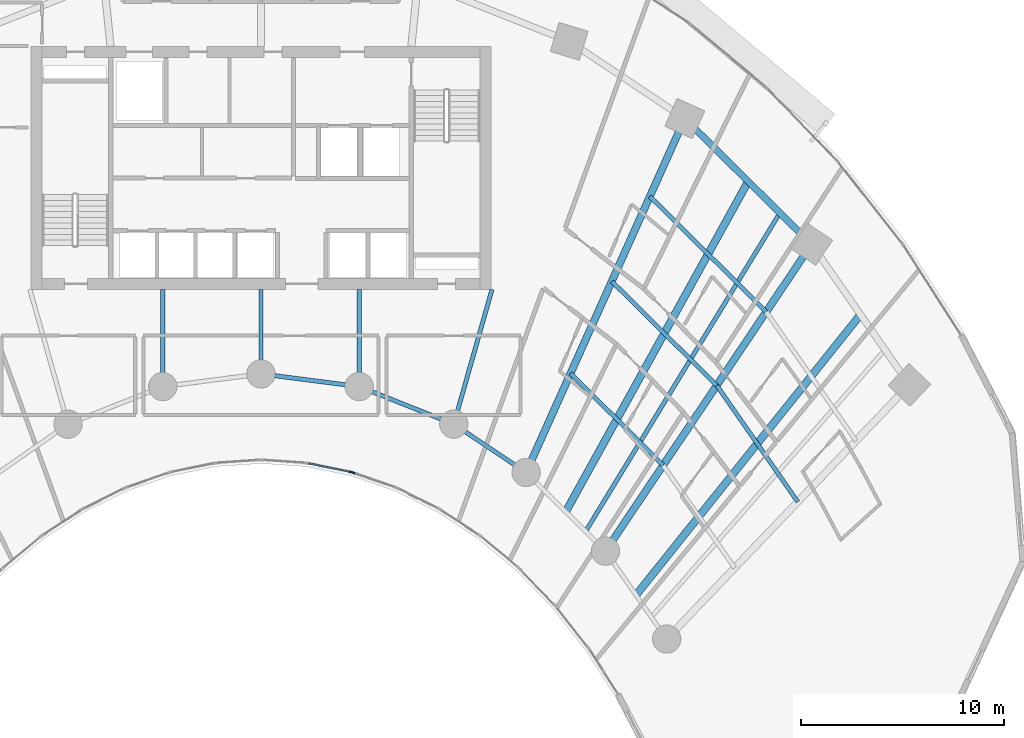
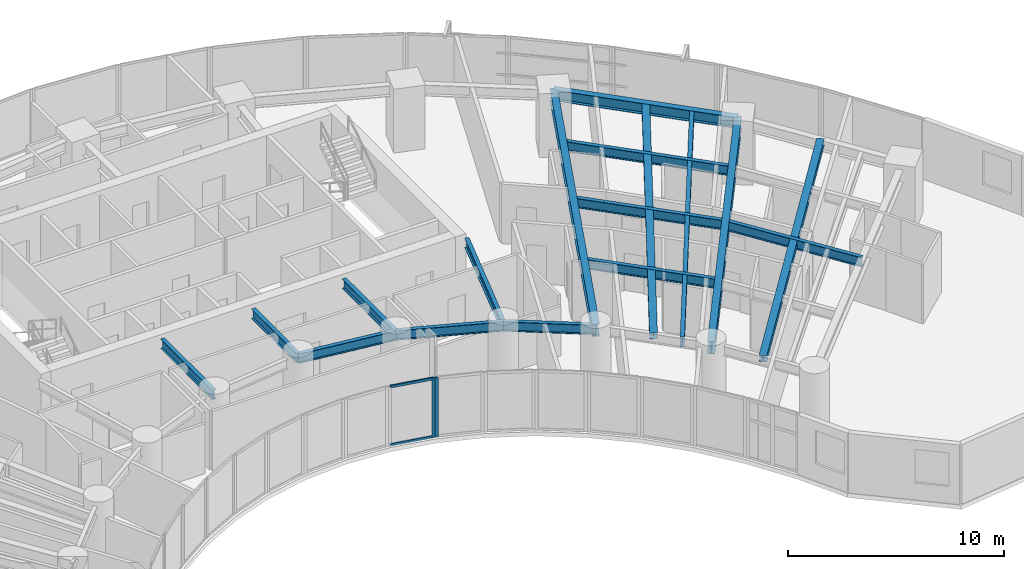
# One storey, part 5 of 18: 17 beams, 4 members, 2 elements without a shape of their own.
"""IFC4 building model written with IfcOpenShell, lengths in metres."""

from ifc_helpers import new_model, si_unit, direction, frame, origin, origin_2d, place, context, subcontext, project, spatial, rectangle, i_section, extrude, source, transform, mapped, material, layer, layer_set, material_profile, profile_set, type_object, type_shapes, element, aggregate, save


model = new_model("IFC4")

# Units and contexts
model_context = context("Model", 3, precision=1e-05, world=origin(), true_north=direction((0.0, 1.0)))
body_context = subcontext(model_context, "Body", "Model", "MODEL_VIEW")
ifc_project = project(units=[si_unit("LENGTHUNIT", "METRE"), si_unit("AREAUNIT", "SQUARE_METRE"), si_unit("VOLUMEUNIT", "CUBIC_METRE"), si_unit("PLANEANGLEUNIT", "RADIAN"), si_unit("MASSUNIT", "GRAM", prefix="KILO")], contexts=[model_context])

# Site, building, storey
site_placement = place(None, origin())
site = spatial("IfcSite", under=ifc_project, at=site_placement, CompositionType="ELEMENT")
building_placement = place(site_placement, origin())
building = spatial("IfcBuilding", under=site, at=building_placement, Name="Breltana Convention Tower", CompositionType="ELEMENT")
storey_placement = place(building_placement, frame((0.0, 0.0, 42.60009765625)))
storey = spatial("IfcBuildingStorey", under=building, at=storey_placement, Name="L08", CompositionType="ELEMENT", Elevation=42.60009765625)

# Beams
ifc_material_1 = material(Name="Steel ASTM A992 Grade 50", Category="steel")
ifc_material_profile_1 = material_profile(ifc_material_1, i_section(OverallWidth=0.323974609375, OverallDepth=0.611083984375, WebThickness=0.0126953125, FlangeThickness=0.01904296875, at=origin_2d()), Name="W24X104")
ifc_profile_set_1 = profile_set([ifc_material_profile_1], Name="Steel ASTM A992 Grade 50")
beam_type_1 = type_object("IfcBeamType", Name="BM-SP-W24X104", PredefinedType="SPANDREL", material=ifc_profile_set_1)
shared_shape_1 = source(origin(), body_context, "Body", "SweptSolid", [
    extrude(i_section(OverallWidth=0.323974609375, OverallDepth=0.611083984375, WebThickness=0.0126953125, FlangeThickness=0.01904296875, at=origin_2d()), origin(), (0.0, 0.0, 1.0), 8.810302734375),
])
beam_1_placement = place(storey_placement, frame((68.910400390625, 68.63330078125, 3.054443359375), z_axis=(0.710120823582, -0.704079836322, 0.0), x_axis=(0.704079836322, 0.710120823582, 0.0)))
element("IfcBeam", 1, at=beam_1_placement, inside=storey, type_object=beam_type_1, Name="L08 Outer Spandrel Beam 09", PredefinedType="SPANDREL", context=body_context, shape_type="MappedRepresentation", body=[
    mapped(shared_shape_1, transform((0.0, 0.0, 0.0), scale=1.0)),
])
ifc_material_profile_2 = material_profile(ifc_material_1, i_section(OverallWidth=0.2099609375, OverallDepth=0.537109375, WebThickness=0.010986328125, FlangeThickness=0.017333984375, at=origin_2d()), Name="W21X68")
ifc_profile_set_2 = profile_set([ifc_material_profile_2], Name="Steel ASTM A992 Grade 50")
beam_type_2 = type_object("IfcBeamType", Name="BM-BM-W21X68", PredefinedType="BEAM", material=ifc_profile_set_2)
shared_shape_2 = source(origin(), body_context, "Body", "SweptSolid", [
    extrude(i_section(OverallWidth=0.2099609375, OverallDepth=0.537109375, WebThickness=0.010986328125, FlangeThickness=0.017333984375, at=origin_2d()), origin(), (0.0, 0.0, 1.0), 6.904541015625),
])
type_shapes(beam_type_2, [shared_shape_2])
beam_2_placement = place(storey_placement, frame((59.39990234375, 60.199951171875, 3.09130859375), z_axis=(-0.273006781054, -0.962012108811, 0.0), x_axis=(0.962012108811, -0.273006781054, 0.0)))
element("IfcBeam", 2, at=beam_2_placement, inside=storey, type_object=beam_type_2, Name="L08 South Core Tie Girder R08", PredefinedType="BEAM", context=body_context, shape_type="MappedRepresentation", body=[
    mapped(shared_shape_2, transform((0.0, 0.0, 0.0), scale=1.0)),
])
shared_shape_3 = source(origin(), body_context, "Body", "SweptSolid", [
    extrude(i_section(OverallWidth=0.2099609375, OverallDepth=0.537109375, WebThickness=0.010986328125, FlangeThickness=0.017333984375, at=origin_2d()), origin(), (0.0, 0.0, 1.0), 4.789306640625),
])
for number, where, z_axis, x_axis, name in (
    (3, (43.153564453125, 60.199951171875, 3.09130859375), (0.0, -1.0, 0.0), (1.0, 0.0, 0.0), "L08 South Core Tie Girder R05"),
    (4, (52.846435546875, 60.199951171875, 3.09130859375), (0.0, -1.0, 0.0), (1.0, 0.0, 0.0), "L08 South Core Tie Girder R07"),
):
    element("IfcBeam", number, at=place(storey_placement, frame(where, z_axis=z_axis, x_axis=x_axis)), inside=storey, type_object=beam_type_2, Name=name, PredefinedType="BEAM", context=body_context, shape_type="MappedRepresentation", body=[
        mapped(shared_shape_3, transform((0.0, 0.0, 0.0), scale=1.0)),
    ])
shared_shape_4 = source(origin(), body_context, "Body", "SweptSolid", [
    extrude(i_section(OverallWidth=0.2099609375, OverallDepth=0.537109375, WebThickness=0.010986328125, FlangeThickness=0.017333984375, at=origin_2d()), origin(), (0.0, 0.0, 1.0), 4.1640625),
])
beam_3_placement = place(storey_placement, frame((48.0, 60.199951171875, 3.09130859375), z_axis=(0.0, -1.0, 0.0), x_axis=(1.0, 0.0, 0.0)))
element("IfcBeam", 5, at=beam_3_placement, inside=storey, type_object=beam_type_2, Name="L08 South Core Tie Girder R06", PredefinedType="BEAM", context=body_context, shape_type="MappedRepresentation", body=[
    mapped(shared_shape_4, transform((0.0, 0.0, 0.0), scale=1.0)),
])
ifc_material_profile_3 = material_profile(ifc_material_1, i_section(OverallWidth=0.35498046875, OverallDepth=0.696044921875, WebThickness=0.015380859375, FlangeThickness=0.02490234375, at=origin_2d()), Name="W27X146")
ifc_profile_set_3 = profile_set([ifc_material_profile_3], Name="Steel ASTM A992 Grade 50")
beam_type_3 = type_object("IfcBeamType", Name="BM-RG-W27X146", PredefinedType="USERDEFINED", material=ifc_profile_set_3)
shared_shape_5 = source(origin(), body_context, "Body", "SweptSolid", [
    extrude(i_section(OverallWidth=0.35498046875, OverallDepth=0.696044921875, WebThickness=0.015380859375, FlangeThickness=0.02490234375, at=origin_2d()), origin(), (0.0, 0.0, 1.0), 19.133544921875),
])
beam_4_placement = place(storey_placement, frame((61.08203125, 51.174560546875, 3.011962890625), z_axis=(0.409144564164, 0.912469575172, 0.0), x_axis=(-0.912469575172, 0.409144564164, 0.0)))
element("IfcBeam", 6, at=beam_4_placement, inside=storey, type_object=beam_type_3, Name="L08 Radial Floor Girder R09", ObjectType="GIRDER", PredefinedType="USERDEFINED", context=body_context, shape_type="MappedRepresentation", body=[
    mapped(shared_shape_5, transform((0.0, 0.0, 0.0), scale=1.0)),
])
shared_shape_6 = source(origin(), body_context, "Body", "SweptSolid", [
    extrude(i_section(OverallWidth=0.35498046875, OverallDepth=0.696044921875, WebThickness=0.015380859375, FlangeThickness=0.02490234375, at=origin_2d()), origin(), (0.0, 0.0, 1.0), 18.236328125),
])
beam_5_placement = place(storey_placement, frame((64.995849609375, 47.293701171875, 3.011962890625), z_axis=(0.557730360975, 0.830022195153, 0.0), x_axis=(-0.830022195153, 0.557730360975, 0.0)))
element("IfcBeam", 7, at=beam_5_placement, inside=storey, type_object=beam_type_3, Name="L08 Radial Floor Girder R10", ObjectType="GIRDER", PredefinedType="USERDEFINED", context=body_context, shape_type="MappedRepresentation", body=[
    mapped(shared_shape_6, transform((0.0, 0.0, 0.0), scale=1.0)),
])
shared_shape_7 = source(origin(), body_context, "Body", "SweptSolid", [
    extrude(i_section(OverallWidth=0.2099609375, OverallDepth=0.537109375, WebThickness=0.010986328125, FlangeThickness=0.017333984375, at=origin_2d()), origin(), (0.0, 0.0, 1.0), 5.022705078125),
])
beam_6_placement = place(storey_placement, frame((52.846435546875, 55.41064453125, 3.09130859375), z_axis=(0.929458966248, -0.368925507469, 0.0), x_axis=(0.368925507469, 0.929458966248, 0.0)))
element("IfcBeam", 8, at=beam_6_placement, inside=storey, type_object=beam_type_2, Name="L08 Inner Ring Beam 07", PredefinedType="BEAM", context=body_context, shape_type="MappedRepresentation", body=[
    mapped(shared_shape_7, transform((0.0, 0.0, 0.0), scale=1.0)),
])
shared_shape_8 = source(origin(), body_context, "Body", "SweptSolid", [
    extrude(i_section(OverallWidth=0.2099609375, OverallDepth=0.537109375, WebThickness=0.010986328125, FlangeThickness=0.017333984375, at=origin_2d()), origin(), (0.0, 0.0, 1.0), 4.88671875),
])
beam_7_placement = place(storey_placement, frame((48.0, 56.035888671875, 3.09130859375), z_axis=(0.991780525565, -0.127950729231, 0.0), x_axis=(0.127950729231, 0.991780525565, 0.0)))
element("IfcBeam", 9, at=beam_7_placement, inside=storey, type_object=beam_type_2, Name="L08 Inner Ring Beam 06", PredefinedType="BEAM", context=body_context, shape_type="MappedRepresentation", body=[
    mapped(shared_shape_8, transform((0.0, 0.0, 0.0), scale=1.0)),
])
shared_shape_9 = source(origin(), body_context, "Body", "SweptSolid", [
    extrude(i_section(OverallWidth=0.2099609375, OverallDepth=0.537109375, WebThickness=0.010986328125, FlangeThickness=0.017333984375, at=origin_2d()), origin(), (0.0, 0.0, 1.0), 4.2900390625),
])
beam_8_placement = place(storey_placement, frame((57.514892578125, 53.5576171875, 3.09130859375), z_axis=(0.831515827753, -0.555501060482, 0.0), x_axis=(0.555501060482, 0.831515827753, 0.0)))
element("IfcBeam", 10, at=beam_8_placement, inside=storey, type_object=beam_type_2, Name="L08 Inner Ring Beam 08", PredefinedType="BEAM", context=body_context, shape_type="MappedRepresentation", body=[
    mapped(shared_shape_9, transform((0.0, 0.0, 0.0), scale=1.0)),
])
ifc_material_profile_4 = material_profile(ifc_material_1, i_section(OverallWidth=0.2099609375, OverallDepth=0.537109375, WebThickness=0.010986328125, FlangeThickness=0.017333984375, at=origin_2d()), Name="W21X68")
ifc_profile_set_4 = profile_set([ifc_material_profile_4], Name="Steel ASTM A992 Grade 50")
beam_type_4 = type_object("IfcBeamType", Name="BM-JSG-04", PredefinedType="JOIST", material=ifc_profile_set_4)
shared_shape_10 = source(origin(), body_context, "Body", "SweptSolid", [
    extrude(i_section(OverallWidth=0.2099609375, OverallDepth=0.537109375, WebThickness=0.010986328125, FlangeThickness=0.017333984375, at=origin_2d()), origin(), (0.0, 0.0, 1.0), 6.435302734375),
])
beam_9_placement = place(storey_placement, frame((63.27392578125, 56.06298828125, 3.09130859375), z_axis=(0.710116389828, -0.704084308089, 0.0), x_axis=(0.704084308089, 0.710116389828, 0.0)))
element("IfcBeam", 11, at=beam_9_placement, inside=storey, type_object=beam_type_4, Name="L08 Composite Floor Joist 09.1", PredefinedType="JOIST", context=body_context, shape_type="MappedRepresentation", body=[
    mapped(shared_shape_10, transform((0.0, 0.0, 0.0), scale=1.0)),
])
shared_shape_11 = source(origin(), body_context, "Body", "SweptSolid", [
    extrude(i_section(OverallWidth=0.2099609375, OverallDepth=0.537109375, WebThickness=0.010986328125, FlangeThickness=0.017333984375, at=origin_2d()), origin(), (0.0, 0.0, 1.0), 7.29296875),
])
beam_10_placement = place(storey_placement, frame((65.309326171875, 60.602294921875, 3.09130859375), z_axis=(0.710096551013, -0.704104316305, 0.0), x_axis=(0.704104316305, 0.710096551013, 0.0)))
element("IfcBeam", 12, at=beam_10_placement, inside=storey, type_object=beam_type_4, Name="L08 Composite Floor Joist 09.2", PredefinedType="JOIST", context=body_context, shape_type="MappedRepresentation", body=[
    mapped(shared_shape_11, transform((0.0, 0.0, 0.0), scale=1.0)),
])
shared_shape_12 = source(origin(), body_context, "Body", "SweptSolid", [
    extrude(i_section(OverallWidth=0.2099609375, OverallDepth=0.537109375, WebThickness=0.010986328125, FlangeThickness=0.017333984375, at=origin_2d()), origin(), (0.0, 0.0, 1.0), 8.084716796875),
])
beam_11_placement = place(storey_placement, frame((67.188232421875, 64.79248046875, 3.09130859375), z_axis=(0.710105094548, -0.704095699956, 0.0), x_axis=(0.704095699956, 0.710105094548, 0.0)))
element("IfcBeam", 13, at=beam_11_placement, inside=storey, type_object=beam_type_4, Name="L08 Composite Floor Joist 09.3", PredefinedType="JOIST", context=body_context, shape_type="MappedRepresentation", body=[
    mapped(shared_shape_12, transform((0.0, 0.0, 0.0), scale=1.0)),
])
ifc_material_profile_5 = material_profile(ifc_material_1, i_section(OverallWidth=0.368896484375, OverallDepth=0.35595703125, WebThickness=0.01123046875, FlangeThickness=0.01806640625, at=origin_2d()), Name="W14X90")
ifc_profile_set_5 = profile_set([ifc_material_profile_5], Name="Steel ASTM A992 Grade 50")
beam_type_5 = type_object("IfcBeamType", Name="BM-JSG-09", PredefinedType="JOIST", material=ifc_profile_set_5)
shared_shape_13 = source(origin(), body_context, "Body", "SweptSolid", [
    extrude(i_section(OverallWidth=0.368896484375, OverallDepth=0.35595703125, WebThickness=0.01123046875, FlangeThickness=0.01806640625, at=origin_2d()), origin(), (0.0, 0.0, 1.0), 18.617431640625),
])
beam_12_placement = place(storey_placement, frame((63.038818359375, 49.234130859375, 3.181884765625), z_axis=(0.483405602507, 0.875396495004, 0.0), x_axis=(-0.875396495004, 0.483405602507, 0.0)))
element("IfcBeam", 14, at=beam_12_placement, inside=storey, type_object=beam_type_5, Name="L08 Mid-Bay Radial Trimmer 09", PredefinedType="JOIST", context=body_context, shape_type="MappedRepresentation", body=[
    mapped(shared_shape_13, transform((0.0, 0.0, 0.0), scale=1.0)),
])
shared_shape_14 = source(origin(), body_context, "Body", "SweptSolid", [
    extrude(i_section(OverallWidth=0.2099609375, OverallDepth=0.537109375, WebThickness=0.010986328125, FlangeThickness=0.017333984375, at=origin_2d()), origin(), (0.0, 0.0, 1.0), 18.409423828125),
])
beam_13_placement = place(storey_placement, frame((64.017333984375, 48.263916015625, 3.09130859375), z_axis=(0.520682167606, 0.853750596098, 0.0), x_axis=(-0.853750596098, 0.520682167606, 0.0)))
element("IfcBeam", 15, at=beam_13_placement, inside=storey, type_object=beam_type_4, Name="L08 Quarter-Bay Radial Trimmer 09", PredefinedType="JOIST", context=body_context, shape_type="MappedRepresentation", body=[
    mapped(shared_shape_14, transform((0.0, 0.0, 0.0), scale=1.0)),
])
shared_shape_15 = source(origin(), body_context, "Body", "SweptSolid", [
    extrude(i_section(OverallWidth=0.2099609375, OverallDepth=0.537109375, WebThickness=0.010986328125, FlangeThickness=0.017333984375, at=origin_2d()), origin(), (0.0, 0.0, 1.0), 6.99462890625),
])
beam_14_placement = place(storey_placement, frame((70.488037109375, 55.46728515625, 3.09130859375), z_axis=(0.571206630732, -0.820806301759, 0.0), x_axis=(0.820806301759, 0.571206630732, 0.0)))
element("IfcBeam", 16, at=beam_14_placement, inside=storey, type_object=beam_type_4, Name="L08 Composite Floor Joist 10.2", PredefinedType="JOIST", context=body_context, shape_type="MappedRepresentation", body=[
    mapped(shared_shape_15, transform((0.0, 0.0, 0.0), scale=1.0)),
])
shared_shape_16 = source(origin(), body_context, "Body", "SweptSolid", [
    extrude(i_section(OverallWidth=0.368896484375, OverallDepth=0.35595703125, WebThickness=0.01123046875, FlangeThickness=0.01806640625, at=origin_2d()), origin(), (0.0, 0.0, 1.0), 17.7236328125),
])
beam_15_placement = place(storey_placement, frame((66.505615234375, 45.124267578125, 3.181884765625), z_axis=(0.624829427563, 0.78076128647, 0.0), x_axis=(-0.78076128647, 0.624829427563, 0.0)))
element("IfcBeam", 17, at=beam_15_placement, inside=storey, type_object=beam_type_5, Name="L08 Mid-Bay Radial Trimmer 10", PredefinedType="JOIST", context=body_context, shape_type="MappedRepresentation", body=[
    mapped(shared_shape_16, transform((0.0, 0.0, 0.0), scale=1.0)),
])

# Curtain wall, members
ifc_material_2 = material(Name="Aluminium Anodised Bronze Frame", Category="aluminium")
ifc_layer = layer(ifc_material_2, 0.18994140625, Name="Aluminium Anodised Bronze Frame")
ifc_layer_set = layer_set([ifc_layer], Name="Aluminium Anodised Bronze Frame")
curtain_wall_type = type_object("IfcCurtainWallType", Name="CW-SYS-1", PredefinedType="NOTDEFINED", material=ifc_layer_set)
curtain_wall_1_placement = place(storey_placement, origin())
curtain_wall_1 = element("IfcCurtainWall", 18, at=curtain_wall_1_placement, inside=storey, type_object=curtain_wall_type, Name="L08 inner south-court glazing 8", PredefinedType="NOTDEFINED")
ifc_material_3 = material(Name="Aluminium Anodised Bronze", Category="aluminium")
ifc_material_profile_6 = material_profile(ifc_material_3, rectangle(XDim=0.080078125, YDim=0.139892578125, at=origin_2d()), Name="CWT-80X140")
ifc_profile_set_6 = profile_set([ifc_material_profile_6], Name="Aluminium Anodised Bronze")
member_type_1 = type_object("IfcMemberType", Name="CWT-140", PredefinedType="USERDEFINED", material=ifc_profile_set_6)
shared_shape_17 = source(origin(), body_context, "Body", "SweptSolid", [
    extrude(rectangle(XDim=0.080078125, YDim=0.139892578125, at=origin_2d()), origin(), (0.0, 0.0, 1.0), 2.096435546875),
])
member_1_placement = place(storey_placement, frame((52.401611328125, 51.201416015625, 0.039794921875), z_axis=(-0.979615042233, 0.200883969074, 0.0), x_axis=(-0.200883969074, -0.979615042233, 0.0)))
member_1 = element("IfcMember", 19, at=member_1_placement, type_object=member_type_1, Name="CW-01 transom 1.1", ObjectType="TRANSOM", PredefinedType="USERDEFINED", context=body_context, shape_type="MappedRepresentation", body=[
    mapped(shared_shape_17, transform((0.0, 0.0, 0.0), scale=1.0)),
])
member_2_placement = place(storey_placement, frame((52.401611328125, 51.201416015625, 3.31982421875), z_axis=(-0.979615042233, 0.200883969074, 0.0), x_axis=(-0.200883969074, -0.979615042233, 0.0)))
member_2 = element("IfcMember", 20, at=member_2_placement, type_object=member_type_1, Name="CW-01 transom 1.2", ObjectType="TRANSOM", PredefinedType="USERDEFINED", context=body_context, shape_type="MappedRepresentation", body=[
    mapped(shared_shape_17, transform((0.0, 0.0, 0.0), scale=1.0)),
])

# Curtain wall, member
curtain_wall_2_placement = place(storey_placement, origin())
curtain_wall_2 = element("IfcCurtainWall", 21, at=curtain_wall_2_placement, inside=storey, type_object=curtain_wall_type, Name="L08 inner south-court glazing 7", PredefinedType="NOTDEFINED")
ifc_material_profile_7 = material_profile(ifc_material_3, rectangle(XDim=0.080078125, YDim=0.199951171875, at=origin_2d()), Name="CWM-80X200")
ifc_profile_set_7 = profile_set([ifc_material_profile_7], Name="Aluminium Anodised Bronze")
member_type_2 = type_object("IfcMemberType", Name="CWM-200", PredefinedType="MULLION", material=ifc_profile_set_7)
shared_shape_18 = source(origin(), body_context, "Body", "SweptSolid", [
    extrude(rectangle(XDim=0.080078125, YDim=0.199951171875, at=origin_2d()), origin(), (0.0, 0.0, 1.0), 3.35986328125),
])
member_3_placement = place(storey_placement, frame((52.54052734375, 51.166015625, 0.0), z_axis=(0.0, 0.0, 1.0), x_axis=(-0.327413341714, -0.944881211406, 0.0)))
member_3 = element("IfcMember", 22, at=member_3_placement, type_object=member_type_2, Name="CW-01 mullion 2", PredefinedType="MULLION", context=body_context, shape_type="MappedRepresentation", body=[
    mapped(shared_shape_18, transform((0.0, 0.0, 0.0), scale=1.0)),
])
aggregate(curtain_wall_2, [member_3])

# Member
member_4_placement = place(storey_placement, frame((52.44091796875, 51.193359375, 0.0), z_axis=(0.0, 0.0, 1.0), x_axis=(-0.200886350278, -0.97961455393, 0.0)))
member_4 = element("IfcMember", 23, at=member_4_placement, type_object=member_type_2, Name="CW-01 mullion 1", PredefinedType="MULLION", context=body_context, shape_type="MappedRepresentation", body=[
    mapped(shared_shape_18, transform((0.0, 0.0, 0.0), scale=1.0)),
])

aggregate(curtain_wall_1, [member_4, member_1, member_2])

save(model, "model.ifc")
